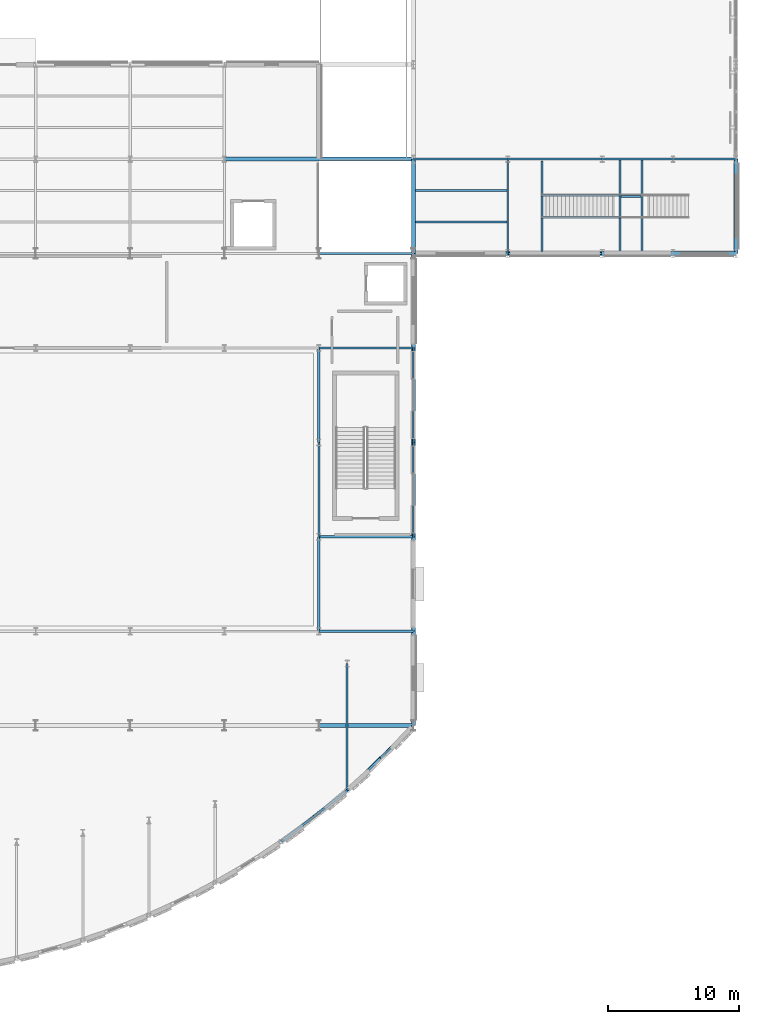
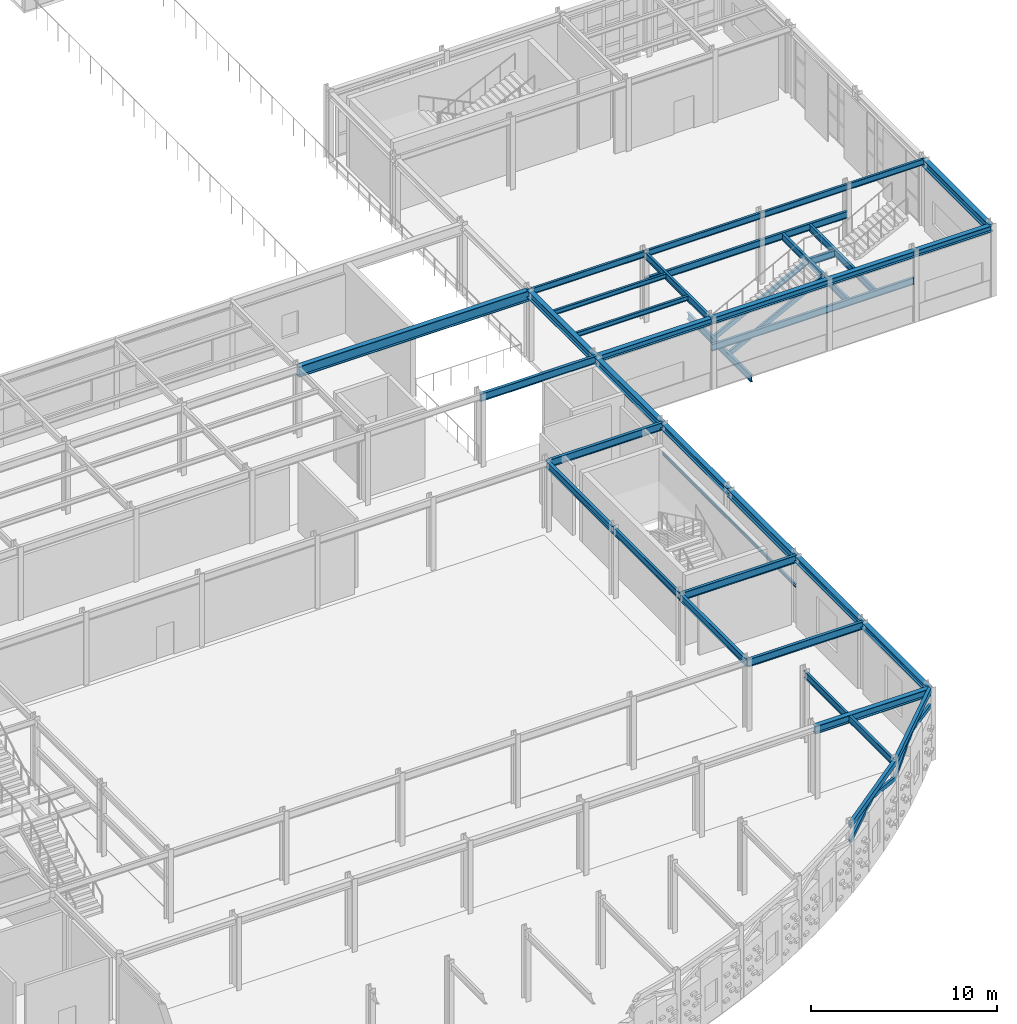
# One storey, part 41 of 83: 38 beams, 6 members.
"""IFC4 building model written with IfcOpenShell, lengths in metres."""

from ifc_helpers import new_model, si_unit, direction, frame, origin, origin_2d, place, context, subcontext, project, spatial, hollow_rectangle, i_section, extrude, material, material_profile, profile_set, type_object, element, save


model = new_model("IFC4")

# Units and contexts
model_context = context("Model", 3, precision=1e-05, world=origin(), true_north=direction((0.0, 1.0)))
body_context = subcontext(model_context, "Body", "Model", "MODEL_VIEW")
ifc_project = project(units=[si_unit("LENGTHUNIT", "METRE"), si_unit("AREAUNIT", "SQUARE_METRE"), si_unit("VOLUMEUNIT", "CUBIC_METRE"), si_unit("PLANEANGLEUNIT", "RADIAN"), si_unit("MASSUNIT", "GRAM", prefix="KILO")], contexts=[model_context])

# Site, building, storey
site_placement = place(None, origin())
site = spatial("IfcSite", under=ifc_project, at=site_placement, CompositionType="ELEMENT")
building_placement = place(site_placement, origin())
building = spatial("IfcBuilding", under=site, at=building_placement, Name="Solvadek Multi-Sports Hall", CompositionType="ELEMENT")
storey_placement = place(building_placement, origin())
storey = spatial("IfcBuildingStorey", under=building, at=storey_placement, Name="L00", CompositionType="ELEMENT", Elevation=0.0)

# Members
ifc_material_1 = material(Name="Steel E250 (250 MPa)", Category="steel")
ifc_material_profile_1 = material_profile(ifc_material_1, hollow_rectangle(XDim=0.14990234375, YDim=0.300048828125, WallThickness=0.010009765625, at=origin_2d()), Name="RHS 300x150x10")
ifc_profile_set_1 = profile_set([ifc_material_profile_1], Name="Steel E250 (250 MPa)")
member_type_1 = type_object("IfcMemberType", Name="INT-SGR-RHS300", PredefinedType="STRINGER", material=ifc_profile_set_1)
for number, where, z_axis, x_axis, name in (
    (1, (146.60009765625, 44.760009765625, -0.47998046875), (0.889594277136, 0.0, 0.456751597793), (0.0, 1.0, 0.0), "Stair ST-11 Steel Stringer #9"),
    (2, (146.60009765625, 46.43994140625, -0.47998046875), (0.889594277136, 0.0, 0.456751597793), (0.0, 1.0, 0.0), "Stair ST-11 Steel Stringer #10"),
):
    element("IfcMember", number, at=place(storey_placement, frame(where, z_axis=z_axis, x_axis=x_axis)), inside=storey, type_object=member_type_1, Name=name, PredefinedType="STRINGER", context=body_context, shape_type="SweptSolid", body=[
        extrude(hollow_rectangle(XDim=0.14990234375, YDim=0.300048828125, WallThickness=0.010009765625, at=origin_2d()), origin(), (0.0, 0.0, 1.0), 6.6884765625),
    ])
ifc_material_2 = material(Name="Steel E350 (350 MPa)", Category="steel")
ifc_material_profile_2 = material_profile(ifc_material_2, hollow_rectangle(XDim=0.14990234375, YDim=0.25, WallThickness=0.010009765625, at=origin_2d()), Name="RHS 250x150x10")
ifc_profile_set_2 = profile_set([ifc_material_profile_2], Name="Steel E350 (350 MPa)")
member_type_2 = type_object("IfcMemberType", Name="STR-ARC-RHS250", PredefinedType="USERDEFINED", material=ifc_profile_set_2)
for number, where, z_axis, x_axis, name in (
    (3, (126.719970703125, -2.857177734375, 3.35009765625), (0.762027802626, 0.591712152495, 0.263040598795), (-0.613310008374, 0.789842284022, 0.0), "Crescent Pointed Revak Arch E-9L"),
    (4, (129.239990234375, -0.900390625, 4.219970703125), (0.762061090774, 0.591664171814, -0.263052089365), (-0.613262267775, 0.789879352131, 0.0), "Crescent Pointed Revak Arch E-9R"),
):
    element("IfcMember", number, at=place(storey_placement, frame(where, z_axis=z_axis, x_axis=x_axis)), inside=storey, type_object=member_type_2, Name=name, ObjectType="ARCH_SEGMENT", PredefinedType="USERDEFINED", context=body_context, shape_type="SweptSolid", body=[
        extrude(hollow_rectangle(XDim=0.14990234375, YDim=0.25, WallThickness=0.010009765625, at=origin_2d()), origin(), (0.0, 0.0, 1.0), 3.306884765625),
    ])
for number, where, z_axis, x_axis, name in (
    (5, (131.760009765625, 1.05615234375, 3.35009765625), (0.69315099552, 0.679921897853, 0.239265355264), (-0.700261543311, 0.71388638519, 0.0), "Crescent Pointed Revak Arch E-10L"),
    (6, (134.280029296875, 3.528076171875, 4.219970703125), (0.69315099552, 0.679921897853, -0.239265355264), (-0.700261543311, 0.71388638519, 0.0), "Crescent Pointed Revak Arch E-10R"),
):
    element("IfcMember", number, at=place(storey_placement, frame(where, z_axis=z_axis, x_axis=x_axis)), inside=storey, type_object=member_type_2, Name=name, ObjectType="ARCH_SEGMENT", PredefinedType="USERDEFINED", context=body_context, shape_type="SweptSolid", body=[
        extrude(hollow_rectangle(XDim=0.14990234375, YDim=0.25, WallThickness=0.010009765625, at=origin_2d()), origin(), (0.0, 0.0, 1.0), 3.635498046875),
    ])

# Beams
ifc_material_profile_3 = material_profile(ifc_material_2, i_section(OverallWidth=0.139892578125, OverallDepth=0.39990234375, WebThickness=0.0087890625, FlangeThickness=0.01611328125, at=origin_2d()), Name="ISMB 400")
ifc_profile_set_3 = profile_set([ifc_material_profile_3], Name="Steel E350 (350 MPa)")
beam_type_1 = type_object("IfcBeamType", Name="STR-BM-ISMB400", PredefinedType="BEAM", material=ifc_profile_set_3)
for number, where, z_axis, x_axis, name in (
    (7, (136.800048828125, 49.199951171875, 4.3798828125), (1.0, 0.0, 0.0), (0.0, 1.0, 0.0), "L00 Girder B-10 #619"),
    (8, (144.0, 49.199951171875, 4.3798828125), (1.0, 0.0, 0.0), (0.0, 1.0, 0.0), "L00 Girder B-10 #620"),
):
    element("IfcBeam", number, at=place(storey_placement, frame(where, z_axis=z_axis, x_axis=x_axis)), inside=storey, type_object=beam_type_1, Name=name, PredefinedType="BEAM", context=body_context, shape_type="SweptSolid", body=[
        extrude(i_section(OverallWidth=0.139892578125, OverallDepth=0.39990234375, WebThickness=0.0087890625, FlangeThickness=0.01611328125, at=origin_2d()), origin(), (0.0, 0.0, 1.0), 7.199951171875),
    ])
beam_1_placement = place(storey_placement, frame((151.199951171875, 49.199951171875, 4.3798828125), z_axis=(1.0, 0.0, 0.0), x_axis=(0.0, 1.0, 0.0)))
element("IfcBeam", 9, at=beam_1_placement, inside=storey, type_object=beam_type_1, Name="L00 Girder B-10 #621", PredefinedType="BEAM", context=body_context, shape_type="SweptSolid", body=[
    extrude(i_section(OverallWidth=0.139892578125, OverallDepth=0.39990234375, WebThickness=0.0087890625, FlangeThickness=0.01611328125, at=origin_2d()), origin(), (0.0, 0.0, 1.0), 5.400146484375),
])
beam_2_placement = place(storey_placement, frame((156.60009765625, 49.199951171875, 4.3798828125), z_axis=(1.0, 0.0, 0.0), x_axis=(0.0, 1.0, 0.0)))
element("IfcBeam", 10, at=beam_2_placement, inside=storey, type_object=beam_type_1, Name="L00 Girder B-10 #622", PredefinedType="BEAM", context=body_context, shape_type="SweptSolid", body=[
    extrude(i_section(OverallWidth=0.139892578125, OverallDepth=0.39990234375, WebThickness=0.0087890625, FlangeThickness=0.01611328125, at=origin_2d()), origin(), (0.0, 0.0, 1.0), 4.7998046875),
])
ifc_material_profile_4 = material_profile(ifc_material_2, i_section(OverallWidth=0.14990234375, OverallDepth=0.449951171875, WebThickness=0.009521484375, FlangeThickness=0.017333984375, at=origin_2d()), Name="ISMB 450")
ifc_profile_set_4 = profile_set([ifc_material_profile_4], Name="Steel E350 (350 MPa)")
beam_type_2 = type_object("IfcBeamType", Name="STR-BM-ISMB450", PredefinedType="BEAM", material=ifc_profile_set_4)
beam_3_placement = place(storey_placement, frame((129.60009765625, 20.39990234375, 4.35498046875), z_axis=(0.0, 1.0, 0.0), x_axis=(-1.0, 0.0, 0.0)))
element("IfcBeam", 11, at=beam_3_placement, inside=storey, type_object=beam_type_2, Name="L00 Girder B-09 #924", PredefinedType="BEAM", context=body_context, shape_type="SweptSolid", body=[
    extrude(i_section(OverallWidth=0.14990234375, OverallDepth=0.449951171875, WebThickness=0.009521484375, FlangeThickness=0.017333984375, at=origin_2d()), origin(), (0.0, 0.0, 1.0), 7.2001953125),
])
beam_4_placement = place(storey_placement, frame((131.760009765625, 1.05615234375, 4.35498046875), z_axis=(0.0, 1.0, 0.0), x_axis=(-1.0, 0.0, 0.0)))
element("IfcBeam", 12, at=beam_4_placement, inside=storey, type_object=beam_type_2, Name="L00 Girder B-09 #927", PredefinedType="BEAM", context=body_context, shape_type="SweptSolid", body=[
    extrude(i_section(OverallWidth=0.14990234375, OverallDepth=0.449951171875, WebThickness=0.009521484375, FlangeThickness=0.017333984375, at=origin_2d()), origin(), (0.0, 0.0, 1.0), 9.671875),
])
beam_5_placement = place(storey_placement, frame((144.0, 42.0, 4.35498046875), z_axis=(0.0, 1.0, 0.0), x_axis=(-1.0, 0.0, 0.0)))
element("IfcBeam", 13, at=beam_5_placement, inside=storey, type_object=beam_type_2, Name="L00 Girder B-09 #937", PredefinedType="BEAM", context=body_context, shape_type="SweptSolid", body=[
    extrude(i_section(OverallWidth=0.14990234375, OverallDepth=0.449951171875, WebThickness=0.009521484375, FlangeThickness=0.017333984375, at=origin_2d()), origin(), (0.0, 0.0, 1.0), 7.199951171875),
])
ifc_material_profile_5 = material_profile(ifc_material_2, i_section(OverallWidth=0.179931640625, OverallDepth=0.5, WebThickness=0.01025390625, FlangeThickness=0.01708984375, at=origin_2d()), Name="ISMB 500")
ifc_profile_set_5 = profile_set([ifc_material_profile_5], Name="Steel E350 (350 MPa)")
beam_type_3 = type_object("IfcBeamType", Name="STR-BM-ISMB500", PredefinedType="BEAM", material=ifc_profile_set_5)
for number, where, z_axis, x_axis, name in (
    (14, (129.60009765625, 13.199951171875, 4.330078125), (1.0, 0.0, 0.0), (0.0, 1.0, 0.0), "L00 Girder B-07 #555"),
    (15, (129.60009765625, 20.39990234375, 4.330078125), (1.0, 0.0, 0.0), (0.0, 1.0, 0.0), "L00 Girder B-07 #567"),
    (16, (129.60009765625, 34.800048828125, 4.330078125), (1.0, 0.0, 0.0), (0.0, 1.0, 0.0), "L00 Girder B-07 #586"),
    (17, (129.60009765625, 42.0, 4.330078125), (1.0, 0.0, 0.0), (0.0, 1.0, 0.0), "L00 Girder B-07 #598"),
):
    element("IfcBeam", number, at=place(storey_placement, frame(where, z_axis=z_axis, x_axis=x_axis)), inside=storey, type_object=beam_type_3, Name=name, PredefinedType="BEAM", context=body_context, shape_type="SweptSolid", body=[
        extrude(i_section(OverallWidth=0.179931640625, OverallDepth=0.5, WebThickness=0.01025390625, FlangeThickness=0.01708984375, at=origin_2d()), origin(), (0.0, 0.0, 1.0), 7.199951171875),
    ])
ifc_material_profile_6 = material_profile(ifc_material_2, i_section(OverallWidth=0.14990234375, OverallDepth=0.449951171875, WebThickness=0.009521484375, FlangeThickness=0.017333984375, at=origin_2d()), Name="ISMB 450")
ifc_profile_set_6 = profile_set([ifc_material_profile_6], Name="Steel E350 (350 MPa)")
beam_type_4 = type_object("IfcBeamType", Name="STR-BM-LND450", PredefinedType="BEAM", material=ifc_profile_set_6)
for number, where, z_axis, x_axis, name in (
    (18, (144.0, 42.0, 2.574951171875), (1.0, 0.0, 0.0), (0.0, 1.0, 0.0), "Stair ST-11 Landing Edge Girder #1"),
    (19, (144.0, 49.199951171875, 2.574951171875), (1.0, 0.0, 0.0), (0.0, 1.0, 0.0), "Stair ST-11 Landing Edge Girder #2"),
):
    element("IfcBeam", number, at=place(storey_placement, frame(where, z_axis=z_axis, x_axis=x_axis)), inside=storey, type_object=beam_type_4, Name=name, PredefinedType="BEAM", context=body_context, shape_type="SweptSolid", body=[
        extrude(i_section(OverallWidth=0.14990234375, OverallDepth=0.449951171875, WebThickness=0.009521484375, FlangeThickness=0.017333984375, at=origin_2d()), origin(), (0.0, 0.0, 1.0), 12.60009765625),
    ])
for number, where, z_axis, x_axis, name in (
    (20, (152.550048828125, 42.074951171875, 2.574951171875), (0.0, 1.0, 0.0), (-1.0, 0.0, 0.0), "Stair ST-11 Landing Trimmer Girder #1"),
    (21, (154.25, 42.074951171875, 2.574951171875), (0.0, 1.0, 0.0), (-1.0, 0.0, 0.0), "Stair ST-11 Landing Trimmer Girder #2"),
):
    element("IfcBeam", number, at=place(storey_placement, frame(where, z_axis=z_axis, x_axis=x_axis)), inside=storey, type_object=beam_type_4, Name=name, PredefinedType="BEAM", context=body_context, shape_type="SweptSolid", body=[
        extrude(i_section(OverallWidth=0.14990234375, OverallDepth=0.449951171875, WebThickness=0.009521484375, FlangeThickness=0.017333984375, at=origin_2d()), origin(), (0.0, 0.0, 1.0), 7.050048828125),
    ])
beam_6_placement = place(storey_placement, frame((152.625, 46.35595703125, 2.574951171875), z_axis=(1.0, 0.0, 0.0), x_axis=(0.0, 1.0, 0.0)))
element("IfcBeam", 22, at=beam_6_placement, inside=storey, type_object=beam_type_4, Name="Stair ST-11 Landing Diaphragm Rib", PredefinedType="BEAM", context=body_context, shape_type="SweptSolid", body=[
    extrude(i_section(OverallWidth=0.14990234375, OverallDepth=0.449951171875, WebThickness=0.009521484375, FlangeThickness=0.017333984375, at=origin_2d()), origin(), (0.0, 0.0, 1.0), 1.550048828125),
])
beam_7_placement = place(storey_placement, frame((146.60009765625, 42.159912109375, -0.47998046875), z_axis=(0.0, 1.0, 0.0), x_axis=(-1.0, 0.0, 0.0)))
element("IfcBeam", 23, at=beam_7_placement, inside=storey, type_object=beam_type_4, Name="Stair ST-11 Foot Trimmer Girder", PredefinedType="BEAM", context=body_context, shape_type="SweptSolid", body=[
    extrude(i_section(OverallWidth=0.14990234375, OverallDepth=0.449951171875, WebThickness=0.009521484375, FlangeThickness=0.017333984375, at=origin_2d()), origin(), (0.0, 0.0, 1.0), 6.880126953125),
])
ifc_material_profile_7 = material_profile(ifc_material_2, i_section(OverallWidth=0.18994140625, OverallDepth=0.449951171875, WebThickness=0.009521484375, FlangeThickness=0.0146484375, at=origin_2d()), Name="NPB 450")
ifc_profile_set_7 = profile_set([ifc_material_profile_7], Name="Steel E350 (350 MPa)")
beam_type_5 = type_object("IfcBeamType", Name="STR-BM-NPB450", PredefinedType="BEAM", material=ifc_profile_set_7)
for number, where, z_axis, x_axis, name in (
    (24, (129.60009765625, 13.199951171875, 4.35498046875), (0.0, 1.0, 0.0), (-1.0, 0.0, 0.0), "L00 Girder B-08 #923"),
    (25, (129.60009765625, 27.60009765625, 4.35498046875), (0.0, 1.0, 0.0), (-1.0, 0.0, 0.0), "L00 Girder B-08 #925"),
):
    element("IfcBeam", number, at=place(storey_placement, frame(where, z_axis=z_axis, x_axis=x_axis)), inside=storey, type_object=beam_type_5, Name=name, PredefinedType="BEAM", context=body_context, shape_type="SweptSolid", body=[
        extrude(i_section(OverallWidth=0.18994140625, OverallDepth=0.449951171875, WebThickness=0.009521484375, FlangeThickness=0.0146484375, at=origin_2d()), origin(), (0.0, 0.0, 1.0), 7.199951171875),
    ])
ifc_material_profile_8 = material_profile(ifc_material_2, i_section(OverallWidth=0.300048828125, OverallDepth=0.699951171875, WebThickness=0.01708984375, FlangeThickness=0.031982421875, at=origin_2d()), Name="WPB 700")
ifc_profile_set_8 = profile_set([ifc_material_profile_8], Name="Steel E350 (350 MPa)")
beam_type_6 = type_object("IfcBeamType", Name="STR-BM-WPB700", PredefinedType="BEAM", material=ifc_profile_set_8)
beam_8_placement = place(storey_placement, frame((122.39990234375, 49.199951171875, 4.22998046875), z_axis=(1.0, 0.0, 0.0), x_axis=(0.0, 1.0, 0.0)))
element("IfcBeam", 26, at=beam_8_placement, inside=storey, type_object=beam_type_6, Name="L00 Girder B-01 #618", PredefinedType="BEAM", context=body_context, shape_type="SweptSolid", body=[
    extrude(i_section(OverallWidth=0.300048828125, OverallDepth=0.699951171875, WebThickness=0.01708984375, FlangeThickness=0.031982421875, at=origin_2d()), origin(), (0.0, 0.0, 1.0), 14.400146484375),
])
ifc_material_profile_9 = material_profile(ifc_material_2, i_section(OverallWidth=0.139892578125, OverallDepth=0.300048828125, WebThickness=0.0078125, FlangeThickness=0.01318359375, at=origin_2d()), Name="ISMB 300")
ifc_profile_set_9 = profile_set([ifc_material_profile_9], Name="Steel E350 (350 MPa)")
beam_type_7 = type_object("IfcBeamType", Name="STR-JST-ISMB300", PredefinedType="JOIST", material=ifc_profile_set_9)
for number, where, z_axis, x_axis, name in (
    (27, (136.949951171875, 44.39990234375, 4.429931640625), (1.0, 0.0, 0.0), (0.0, 1.0, 0.0), "L00 Composite Joist J-03 #442"),
    (28, (136.949951171875, 46.800048828125, 4.429931640625), (1.0, 0.0, 0.0), (0.0, 1.0, 0.0), "L00 Composite Joist J-03 #443"),
):
    element("IfcBeam", number, at=place(storey_placement, frame(where, z_axis=z_axis, x_axis=x_axis)), inside=storey, type_object=beam_type_7, Name=name, PredefinedType="JOIST", context=body_context, shape_type="SweptSolid", body=[
        extrude(i_section(OverallWidth=0.139892578125, OverallDepth=0.300048828125, WebThickness=0.0078125, FlangeThickness=0.01318359375, at=origin_2d()), origin(), (0.0, 0.0, 1.0), 6.97509765625),
    ])
ifc_material_profile_10 = material_profile(ifc_material_1, i_section(OverallWidth=0.10009765625, OverallDepth=0.199951171875, WebThickness=0.005615234375, FlangeThickness=0.0107421875, at=origin_2d()), Name="ISMB 200")
ifc_profile_set_10 = profile_set([ifc_material_profile_10], Name="Steel E250 (250 MPa)")
beam_type_8 = type_object("IfcBeamType", Name="STR-LIN-ISMB200", PredefinedType="LINTEL", material=ifc_profile_set_10)
beam_9_placement = place(storey_placement, frame((136.800048828125, 20.39990234375, 2.52001953125), z_axis=(0.0, 1.0, 0.0), x_axis=(-1.0, 0.0, 0.0)))
element("IfcBeam", 29, at=beam_9_placement, inside=storey, type_object=beam_type_8, Name="L00 Opening Lintel #14", PredefinedType="LINTEL", context=body_context, shape_type="SweptSolid", body=[
    extrude(i_section(OverallWidth=0.10009765625, OverallDepth=0.199951171875, WebThickness=0.005615234375, FlangeThickness=0.0107421875, at=origin_2d()), origin(), (0.0, 0.0, 1.0), 7.2001953125),
])
beam_10_placement = place(storey_placement, frame((136.800048828125, 27.60009765625, 2.52001953125), z_axis=(0.0, 1.0, 0.0), x_axis=(-1.0, 0.0, 0.0)))
element("IfcBeam", 30, at=beam_10_placement, inside=storey, type_object=beam_type_8, Name="L00 Opening Lintel #15", PredefinedType="LINTEL", context=body_context, shape_type="SweptSolid", body=[
    extrude(i_section(OverallWidth=0.10009765625, OverallDepth=0.199951171875, WebThickness=0.005615234375, FlangeThickness=0.0107421875, at=origin_2d()), origin(), (0.0, 0.0, 1.0), 7.199951171875),
])
ifc_material_profile_11 = material_profile(ifc_material_2, hollow_rectangle(XDim=0.199951171875, YDim=0.35009765625, WallThickness=0.011962890625, at=origin_2d()), Name="RHS 350x200x12")
ifc_profile_set_11 = profile_set([ifc_material_profile_11], Name="Steel E350 (350 MPa)")
beam_type_9 = type_object("IfcBeamType", Name="STR-SPN-RHS350", PredefinedType="SPANDREL", material=ifc_profile_set_11)
beam_11_placement = place(storey_placement, frame((126.719970703125, -2.857177734375, 4.405029296875), z_axis=(0.789860818002, 0.613286138915, 0.0), x_axis=(-0.613286138915, 0.789860818002, 0.0)))
element("IfcBeam", 31, at=beam_11_placement, inside=storey, type_object=beam_type_9, Name="L00 Curved Crescent Spandrel #37", PredefinedType="SPANDREL", context=body_context, shape_type="SweptSolid", body=[
    extrude(hollow_rectangle(XDim=0.199951171875, YDim=0.35009765625, WallThickness=0.011962890625, at=origin_2d()), origin(), (0.0, 0.0, 1.0), 6.380859375),
])
beam_12_placement = place(storey_placement, frame((131.760009765625, 1.05615234375, 4.405029296875), z_axis=(0.71388638519, 0.700261543311, 0.0), x_axis=(-0.700261543311, 0.71388638519, 0.0)))
element("IfcBeam", 32, at=beam_12_placement, inside=storey, type_object=beam_type_9, Name="L00 Curved Crescent Spandrel #38", PredefinedType="SPANDREL", context=body_context, shape_type="SweptSolid", body=[
    extrude(hollow_rectangle(XDim=0.199951171875, YDim=0.35009765625, WallThickness=0.011962890625, at=origin_2d()), origin(), (0.0, 0.0, 1.0), 7.06005859375),
])
ifc_material_profile_12 = material_profile(ifc_material_2, i_section(OverallWidth=0.300048828125, OverallDepth=0.39990234375, WebThickness=0.013427734375, FlangeThickness=0.02392578125, at=origin_2d()), Name="WPB 400")
ifc_profile_set_12 = profile_set([ifc_material_profile_12], Name="Steel E350 (350 MPa)")
beam_type_10 = type_object("IfcBeamType", Name="STR-SPN-WPB400", PredefinedType="SPANDREL", material=ifc_profile_set_12)
for number, where, z_axis, x_axis, name in (
    (33, (136.800048828125, 42.0, 4.3798828125), (1.0, 0.0, 0.0), (0.0, 1.0, 0.0), "L00 Girder SP-02 #599"),
    (34, (144.0, 42.0, 4.3798828125), (1.0, 0.0, 0.0), (0.0, 1.0, 0.0), "L00 Girder SP-02 #600"),
):
    element("IfcBeam", number, at=place(storey_placement, frame(where, z_axis=z_axis, x_axis=x_axis)), inside=storey, type_object=beam_type_10, Name=name, PredefinedType="SPANDREL", context=body_context, shape_type="SweptSolid", body=[
        extrude(i_section(OverallWidth=0.300048828125, OverallDepth=0.39990234375, WebThickness=0.013427734375, FlangeThickness=0.02392578125, at=origin_2d()), origin(), (0.0, 0.0, 1.0), 7.199951171875),
    ])
beam_13_placement = place(storey_placement, frame((151.199951171875, 42.0, 4.3798828125), z_axis=(1.0, 0.0, 0.0), x_axis=(0.0, 1.0, 0.0)))
element("IfcBeam", 35, at=beam_13_placement, inside=storey, type_object=beam_type_10, Name="L00 Girder SP-02 #601", PredefinedType="SPANDREL", context=body_context, shape_type="SweptSolid", body=[
    extrude(i_section(OverallWidth=0.300048828125, OverallDepth=0.39990234375, WebThickness=0.013427734375, FlangeThickness=0.02392578125, at=origin_2d()), origin(), (0.0, 0.0, 1.0), 5.400146484375),
])
beam_14_placement = place(storey_placement, frame((156.60009765625, 42.0, 4.3798828125), z_axis=(1.0, 0.0, 0.0), x_axis=(0.0, 1.0, 0.0)))
element("IfcBeam", 36, at=beam_14_placement, inside=storey, type_object=beam_type_10, Name="L00 Girder SP-02 #602", PredefinedType="SPANDREL", context=body_context, shape_type="SweptSolid", body=[
    extrude(i_section(OverallWidth=0.300048828125, OverallDepth=0.39990234375, WebThickness=0.013427734375, FlangeThickness=0.02392578125, at=origin_2d()), origin(), (0.0, 0.0, 1.0), 4.7998046875),
])
for number, where, z_axis, x_axis, name in (
    (37, (136.800048828125, 6.0, 4.3798828125), (0.0, 1.0, 0.0), (-1.0, 0.0, 0.0), "L00 Girder SP-02 #928"),
    (38, (136.800048828125, 13.199951171875, 4.3798828125), (0.0, 1.0, 0.0), (-1.0, 0.0, 0.0), "L00 Girder SP-02 #929"),
    (39, (136.800048828125, 27.60009765625, 4.3798828125), (0.0, 1.0, 0.0), (-1.0, 0.0, 0.0), "L00 Girder SP-02 #931"),
):
    element("IfcBeam", number, at=place(storey_placement, frame(where, z_axis=z_axis, x_axis=x_axis)), inside=storey, type_object=beam_type_10, Name=name, PredefinedType="SPANDREL", context=body_context, shape_type="SweptSolid", body=[
        extrude(i_section(OverallWidth=0.300048828125, OverallDepth=0.39990234375, WebThickness=0.013427734375, FlangeThickness=0.02392578125, at=origin_2d()), origin(), (0.0, 0.0, 1.0), 7.199951171875),
    ])
ifc_material_profile_13 = material_profile(ifc_material_2, i_section(OverallWidth=0.300048828125, OverallDepth=0.5, WebThickness=0.014404296875, FlangeThickness=0.028076171875, at=origin_2d()), Name="WPB 500")
ifc_profile_set_13 = profile_set([ifc_material_profile_13], Name="Steel E350 (350 MPa)")
beam_type_11 = type_object("IfcBeamType", Name="STR-SPN-WPB500", PredefinedType="SPANDREL", material=ifc_profile_set_13)
beam_15_placement = place(storey_placement, frame((129.60009765625, 6.0, 4.330078125), z_axis=(1.0, 0.0, 0.0), x_axis=(0.0, 1.0, 0.0)))
element("IfcBeam", 40, at=beam_15_placement, inside=storey, type_object=beam_type_11, Name="L00 Girder SP-01 #542", PredefinedType="SPANDREL", context=body_context, shape_type="SweptSolid", body=[
    extrude(i_section(OverallWidth=0.300048828125, OverallDepth=0.5, WebThickness=0.014404296875, FlangeThickness=0.028076171875, at=origin_2d()), origin(), (0.0, 0.0, 1.0), 7.199951171875),
])
beam_16_placement = place(storey_placement, frame((136.800048828125, 20.39990234375, 4.330078125), z_axis=(0.0, 1.0, 0.0), x_axis=(-1.0, 0.0, 0.0)))
element("IfcBeam", 41, at=beam_16_placement, inside=storey, type_object=beam_type_11, Name="L00 Girder SP-01 #930", PredefinedType="SPANDREL", context=body_context, shape_type="SweptSolid", body=[
    extrude(i_section(OverallWidth=0.300048828125, OverallDepth=0.5, WebThickness=0.014404296875, FlangeThickness=0.028076171875, at=origin_2d()), origin(), (0.0, 0.0, 1.0), 7.2001953125),
])
for number, where, z_axis, x_axis, name in (
    (42, (136.800048828125, 34.800048828125, 4.330078125), (0.0, 1.0, 0.0), (-1.0, 0.0, 0.0), "L00 Girder SP-01 #932"),
    (43, (136.800048828125, 42.0, 4.330078125), (0.0, 1.0, 0.0), (-1.0, 0.0, 0.0), "L00 Girder SP-01 #933"),
    (44, (161.39990234375, 42.0, 4.330078125), (0.0, 1.0, 0.0), (-1.0, 0.0, 0.0), "L00 Girder SP-01 #940"),
):
    element("IfcBeam", number, at=place(storey_placement, frame(where, z_axis=z_axis, x_axis=x_axis)), inside=storey, type_object=beam_type_11, Name=name, PredefinedType="SPANDREL", context=body_context, shape_type="SweptSolid", body=[
        extrude(i_section(OverallWidth=0.300048828125, OverallDepth=0.5, WebThickness=0.014404296875, FlangeThickness=0.028076171875, at=origin_2d()), origin(), (0.0, 0.0, 1.0), 7.199951171875),
    ])

save(model, "model.ifc")
